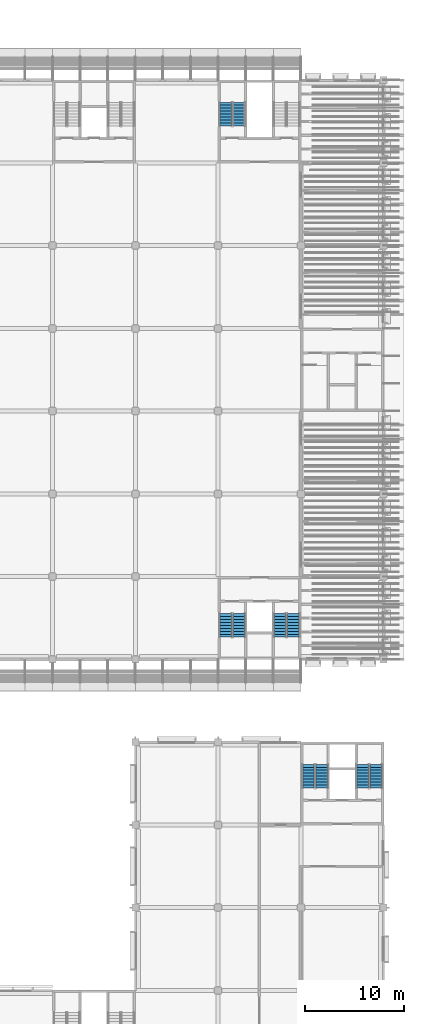
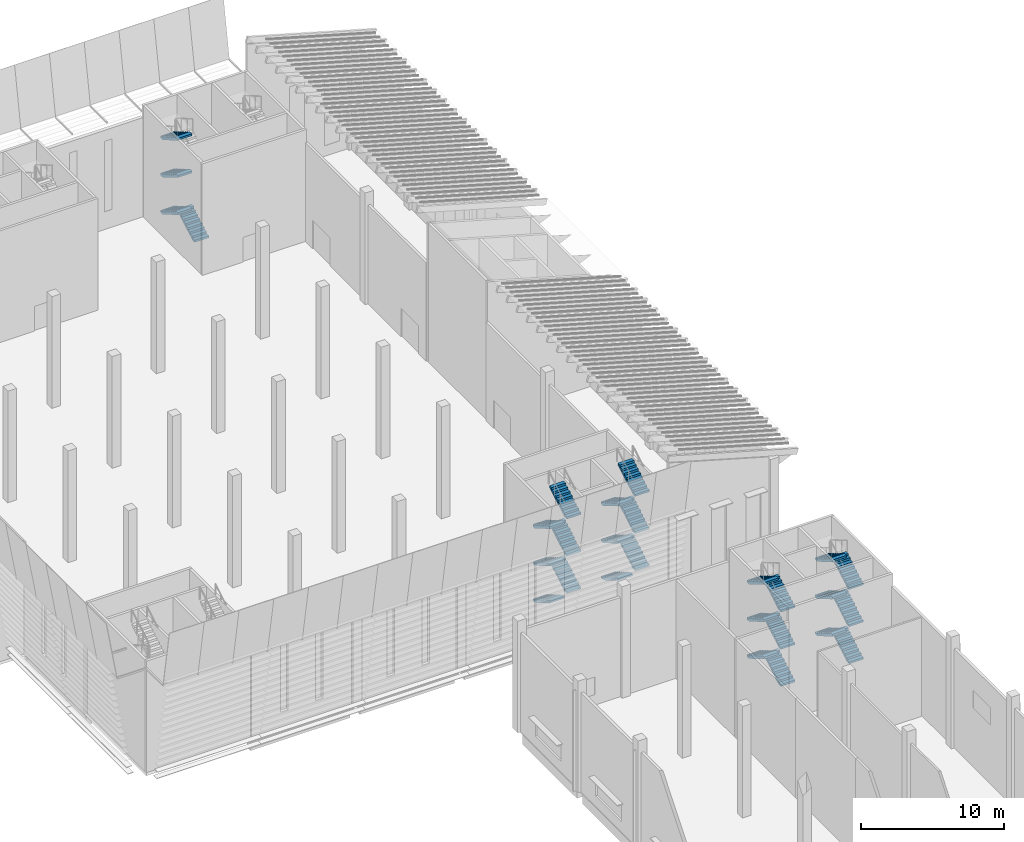
# One storey, part 58 of 114: 28 stair flights, 5 elements without a shape of their own.
"""IFC4 building model written with IfcOpenShell, lengths in metres."""

from ifc_helpers import new_model, si_unit, direction, frame, origin, place, context, subcontext, project, spatial, polyline, outline, extrude, material, type_object, element, aggregate, save


model = new_model("IFC4")

# Units and contexts
model_context = context("Model", 3, precision=1e-05, world=origin(), true_north=direction((0.0, 1.0)))
body_context = subcontext(model_context, "Body", "Model", "MODEL_VIEW")
ifc_project = project(units=[si_unit("LENGTHUNIT", "METRE"), si_unit("AREAUNIT", "SQUARE_METRE"), si_unit("VOLUMEUNIT", "CUBIC_METRE"), si_unit("PLANEANGLEUNIT", "RADIAN"), si_unit("MASSUNIT", "GRAM", prefix="KILO")], contexts=[model_context])

# Site, building, storey
site_placement = place(None, origin())
site = spatial("IfcSite", under=ifc_project, at=site_placement, CompositionType="ELEMENT")
building_placement = place(site_placement, origin())
building = spatial("IfcBuilding", under=site, at=building_placement, Name="Almond Square Museum", CompositionType="ELEMENT")
storey_placement = place(building_placement, frame((0.0, 0.0, 10.5)))
storey = spatial("IfcBuildingStorey", under=building, at=storey_placement, Name="L02", CompositionType="ELEMENT", Elevation=10.5)

# Stair, stair flights
ifc_material_1 = material(Name="Concrete C40/50", Category="concrete")
stair_type = type_object("IfcStairType", Name="Exit stair 54 risers of 176 mm", PredefinedType="HALF_TURN_STAIR", material=ifc_material_1)
stair_1_placement = place(storey_placement, origin())
stair_1 = element("IfcStair", 1, at=stair_1_placement, inside=storey, type_object=stair_type, Name="L02 stair H2-1", PredefinedType="HALF_TURN_STAIR")
ifc_material_2 = material(Name="Concrete C40/50", Category="concrete")
stair_flight_type = type_object("IfcStairFlightType", Name="Concrete flight", PredefinedType="STRAIGHT", material=ifc_material_2)
stair_flight_1_placement = place(storey_placement, frame((141.175048828125, 55.050048828125, 0.0), z_axis=(0.0, 0.0, 1.0), x_axis=(0.0, -1.0, 0.0)))
stair_flight_1 = element("IfcStairFlight", 2, at=stair_flight_1_placement, type_object=stair_flight_type, Name="ST-03 flight 1", NumberOfRisers=9, NumberOfTreads=8, PredefinedType="STRAIGHT", RiserHeight=0.175925926, TreadLength=0.3, context=body_context, shape_type="SweptSolid", body=[
    extrude(outline(polyline([(0.0, 0.0), (0.0, 0.176025390625), (0.300048828125, 0.176025390625), (0.300048828125, 0.351806640625), (0.60009765625, 0.351806640625), (0.60009765625, 0.52783203125), (0.89990234375, 0.52783203125), (0.89990234375, 0.70361328125), (1.199951171875, 0.70361328125), (1.199951171875, 0.879638671875), (1.5, 0.879638671875), (1.5, 1.0556640625), (1.800048828125, 1.0556640625), (1.800048828125, 1.2314453125), (2.10009765625, 1.2314453125), (2.10009765625, 1.407470703125), (2.39990234375, 1.407470703125), (2.39990234375, 1.583251953125), (2.39990234375, 1.233642578125), (0.29638671875, 0.0), (0.0, 0.0)])), frame((0.0, 0.574951171875, 0.0), z_axis=(0.0, -1.0, 0.0), x_axis=(1.0, 0.0, 0.0)), (0.0, 0.0, 1.0), 1.14990234375),
])
stair_flight_2_placement = place(storey_placement, frame((142.52490234375, 52.64990234375, 1.583251953125), z_axis=(0.0, 0.0, 1.0), x_axis=(0.0, 1.0, 0.0)))
stair_flight_2 = element("IfcStairFlight", 3, at=stair_flight_2_placement, type_object=stair_flight_type, Name="ST-03 flight 2", NumberOfRisers=9, NumberOfTreads=8, PredefinedType="STRAIGHT", RiserHeight=0.175925926, TreadLength=0.3, context=body_context, shape_type="SweptSolid", body=[
    extrude(outline(polyline([(0.0, 0.0), (0.0, 0.176025390625), (0.300048828125, 0.176025390625), (0.300048828125, 0.351806640625), (0.60009765625, 0.351806640625), (0.60009765625, 0.52783203125), (0.89990234375, 0.52783203125), (0.89990234375, 0.70361328125), (1.199951171875, 0.70361328125), (1.199951171875, 0.879638671875), (1.5, 0.879638671875), (1.5, 1.0556640625), (1.800048828125, 1.0556640625), (1.800048828125, 1.2314453125), (2.10009765625, 1.2314453125), (2.10009765625, 1.407470703125), (2.39990234375, 1.407470703125), (2.39990234375, 1.583251953125), (2.39990234375, 1.233642578125), (0.29638671875, 0.0), (0.0, 0.0)])), frame((0.0, 0.574951171875, 0.0), z_axis=(0.0, -1.0, 0.0), x_axis=(1.0, 0.0, 0.0)), (0.0, 0.0, 1.0), 1.14990234375),
])
stair_flight_3_placement = place(storey_placement, frame((141.175048828125, 55.050048828125, 3.166748046875), z_axis=(0.0, 0.0, 1.0), x_axis=(0.0, -1.0, 0.0)))
stair_flight_3 = element("IfcStairFlight", 4, at=stair_flight_3_placement, type_object=stair_flight_type, Name="ST-03 flight 3", NumberOfRisers=9, NumberOfTreads=8, PredefinedType="STRAIGHT", RiserHeight=0.175925926, TreadLength=0.3, context=body_context, shape_type="SweptSolid", body=[
    extrude(outline(polyline([(0.0, 0.0), (0.0, 0.176025390625), (0.300048828125, 0.176025390625), (0.300048828125, 0.351806640625), (0.60009765625, 0.351806640625), (0.60009765625, 0.52783203125), (0.89990234375, 0.52783203125), (0.89990234375, 0.70361328125), (1.199951171875, 0.70361328125), (1.199951171875, 0.879638671875), (1.5, 0.879638671875), (1.5, 1.0556640625), (1.800048828125, 1.0556640625), (1.800048828125, 1.2314453125), (2.10009765625, 1.2314453125), (2.10009765625, 1.407470703125), (2.39990234375, 1.407470703125), (2.39990234375, 1.583251953125), (2.39990234375, 1.233642578125), (0.29638671875, 0.0), (0.0, 0.0)])), frame((0.0, 0.574951171875, 0.0), z_axis=(0.0, -1.0, 0.0), x_axis=(1.0, 0.0, 0.0)), (0.0, 0.0, 1.0), 1.14990234375),
])
stair_flight_4_placement = place(storey_placement, frame((142.52490234375, 52.64990234375, 4.75), z_axis=(0.0, 0.0, 1.0), x_axis=(0.0, 1.0, 0.0)))
stair_flight_4 = element("IfcStairFlight", 5, at=stair_flight_4_placement, type_object=stair_flight_type, Name="ST-03 flight 4", NumberOfRisers=9, NumberOfTreads=8, PredefinedType="STRAIGHT", RiserHeight=0.175925926, TreadLength=0.3, context=body_context, shape_type="SweptSolid", body=[
    extrude(outline(polyline([(0.0, 0.0), (0.0, 0.176025390625), (0.300048828125, 0.176025390625), (0.300048828125, 0.351806640625), (0.60009765625, 0.351806640625), (0.60009765625, 0.52783203125), (0.89990234375, 0.52783203125), (0.89990234375, 0.70361328125), (1.199951171875, 0.70361328125), (1.199951171875, 0.879638671875), (1.5, 0.879638671875), (1.5, 1.0556640625), (1.800048828125, 1.0556640625), (1.800048828125, 1.2314453125), (2.10009765625, 1.2314453125), (2.10009765625, 1.407470703125), (2.39990234375, 1.407470703125), (2.39990234375, 1.583251953125), (2.39990234375, 1.233642578125), (0.29638671875, 0.0), (0.0, 0.0)])), frame((0.0, 0.574951171875, 0.0), z_axis=(0.0, -1.0, 0.0), x_axis=(1.0, 0.0, 0.0)), (0.0, 0.0, 1.0), 1.14990234375),
])
stair_flight_5_placement = place(storey_placement, frame((141.175048828125, 55.050048828125, 6.333251953125), z_axis=(0.0, 0.0, 1.0), x_axis=(0.0, -1.0, 0.0)))
stair_flight_5 = element("IfcStairFlight", 6, at=stair_flight_5_placement, type_object=stair_flight_type, Name="ST-03 flight 5", NumberOfRisers=9, NumberOfTreads=8, PredefinedType="STRAIGHT", RiserHeight=0.175925926, TreadLength=0.3, context=body_context, shape_type="SweptSolid", body=[
    extrude(outline(polyline([(0.0, 0.0), (0.0, 0.176025390625), (0.300048828125, 0.176025390625), (0.300048828125, 0.351806640625), (0.60009765625, 0.351806640625), (0.60009765625, 0.52783203125), (0.89990234375, 0.52783203125), (0.89990234375, 0.70361328125), (1.199951171875, 0.70361328125), (1.199951171875, 0.879638671875), (1.5, 0.879638671875), (1.5, 1.0556640625), (1.800048828125, 1.0556640625), (1.800048828125, 1.2314453125), (2.10009765625, 1.2314453125), (2.10009765625, 1.407470703125), (2.39990234375, 1.407470703125), (2.39990234375, 1.583251953125), (2.39990234375, 1.233642578125), (0.29638671875, 0.0), (0.0, 0.0)])), frame((0.0, 0.574951171875, 0.0), z_axis=(0.0, -1.0, 0.0), x_axis=(1.0, 0.0, 0.0)), (0.0, 0.0, 1.0), 1.14990234375),
])
stair_flight_6_placement = place(storey_placement, frame((142.52490234375, 52.64990234375, 7.916748046875), z_axis=(0.0, 0.0, 1.0), x_axis=(0.0, 1.0, 0.0)))
stair_flight_6 = element("IfcStairFlight", 7, at=stair_flight_6_placement, type_object=stair_flight_type, Name="ST-03 flight 6", NumberOfRisers=9, NumberOfTreads=8, PredefinedType="STRAIGHT", RiserHeight=0.175925926, TreadLength=0.3, context=body_context, shape_type="SweptSolid", body=[
    extrude(outline(polyline([(0.0, 0.0), (0.0, 0.176025390625), (0.300048828125, 0.176025390625), (0.300048828125, 0.351806640625), (0.60009765625, 0.351806640625), (0.60009765625, 0.52783203125), (0.89990234375, 0.52783203125), (0.89990234375, 0.70361328125), (1.199951171875, 0.70361328125), (1.199951171875, 0.879638671875), (1.5, 0.879638671875), (1.5, 1.0556640625), (1.800048828125, 1.0556640625), (1.800048828125, 1.2314453125), (2.10009765625, 1.2314453125), (2.10009765625, 1.407470703125), (2.39990234375, 1.407470703125), (2.39990234375, 1.583251953125), (2.39990234375, 1.233642578125), (0.29638671875, 0.0), (0.0, 0.0)])), frame((0.0, 0.574951171875, 0.0), z_axis=(0.0, -1.0, 0.0), x_axis=(1.0, 0.0, 0.0)), (0.0, 0.0, 1.0), 1.14990234375),
])
aggregate(stair_1, [stair_flight_1, stair_flight_2, stair_flight_3, stair_flight_4, stair_flight_5, stair_flight_6])

stair_2_placement = place(storey_placement, origin())
stair_2 = element("IfcStair", 8, at=stair_2_placement, inside=storey, type_object=stair_type, Name="L02 stair H2-2", PredefinedType="HALF_TURN_STAIR")
stair_flight_7_placement = place(storey_placement, frame((146.675048828125, 55.050048828125, 0.0), z_axis=(0.0, 0.0, 1.0), x_axis=(0.0, -1.0, 0.0)))
stair_flight_7 = element("IfcStairFlight", 9, at=stair_flight_7_placement, type_object=stair_flight_type, Name="ST-04 flight 1", NumberOfRisers=9, NumberOfTreads=8, PredefinedType="STRAIGHT", RiserHeight=0.175925926, TreadLength=0.3, context=body_context, shape_type="SweptSolid", body=[
    extrude(outline(polyline([(0.0, 0.0), (0.0, 0.176025390625), (0.300048828125, 0.176025390625), (0.300048828125, 0.351806640625), (0.60009765625, 0.351806640625), (0.60009765625, 0.52783203125), (0.89990234375, 0.52783203125), (0.89990234375, 0.70361328125), (1.199951171875, 0.70361328125), (1.199951171875, 0.879638671875), (1.5, 0.879638671875), (1.5, 1.0556640625), (1.800048828125, 1.0556640625), (1.800048828125, 1.2314453125), (2.10009765625, 1.2314453125), (2.10009765625, 1.407470703125), (2.39990234375, 1.407470703125), (2.39990234375, 1.583251953125), (2.39990234375, 1.233642578125), (0.29638671875, 0.0), (0.0, 0.0)])), frame((0.0, 0.574951171875, 0.0), z_axis=(0.0, -1.0, 0.0), x_axis=(1.0, 0.0, 0.0)), (0.0, 0.0, 1.0), 1.14990234375),
])
stair_flight_8_placement = place(storey_placement, frame((148.02490234375, 52.64990234375, 1.583251953125), z_axis=(0.0, 0.0, 1.0), x_axis=(0.0, 1.0, 0.0)))
stair_flight_8 = element("IfcStairFlight", 10, at=stair_flight_8_placement, type_object=stair_flight_type, Name="ST-04 flight 2", NumberOfRisers=9, NumberOfTreads=8, PredefinedType="STRAIGHT", RiserHeight=0.175925926, TreadLength=0.3, context=body_context, shape_type="SweptSolid", body=[
    extrude(outline(polyline([(0.0, 0.0), (0.0, 0.176025390625), (0.300048828125, 0.176025390625), (0.300048828125, 0.351806640625), (0.60009765625, 0.351806640625), (0.60009765625, 0.52783203125), (0.89990234375, 0.52783203125), (0.89990234375, 0.70361328125), (1.199951171875, 0.70361328125), (1.199951171875, 0.879638671875), (1.5, 0.879638671875), (1.5, 1.0556640625), (1.800048828125, 1.0556640625), (1.800048828125, 1.2314453125), (2.10009765625, 1.2314453125), (2.10009765625, 1.407470703125), (2.39990234375, 1.407470703125), (2.39990234375, 1.583251953125), (2.39990234375, 1.233642578125), (0.29638671875, 0.0), (0.0, 0.0)])), frame((0.0, 0.574951171875, 0.0), z_axis=(0.0, -1.0, 0.0), x_axis=(1.0, 0.0, 0.0)), (0.0, 0.0, 1.0), 1.14990234375),
])
stair_flight_9_placement = place(storey_placement, frame((146.675048828125, 55.050048828125, 3.166748046875), z_axis=(0.0, 0.0, 1.0), x_axis=(0.0, -1.0, 0.0)))
stair_flight_9 = element("IfcStairFlight", 11, at=stair_flight_9_placement, type_object=stair_flight_type, Name="ST-04 flight 3", NumberOfRisers=9, NumberOfTreads=8, PredefinedType="STRAIGHT", RiserHeight=0.175925926, TreadLength=0.3, context=body_context, shape_type="SweptSolid", body=[
    extrude(outline(polyline([(0.0, 0.0), (0.0, 0.176025390625), (0.300048828125, 0.176025390625), (0.300048828125, 0.351806640625), (0.60009765625, 0.351806640625), (0.60009765625, 0.52783203125), (0.89990234375, 0.52783203125), (0.89990234375, 0.70361328125), (1.199951171875, 0.70361328125), (1.199951171875, 0.879638671875), (1.5, 0.879638671875), (1.5, 1.0556640625), (1.800048828125, 1.0556640625), (1.800048828125, 1.2314453125), (2.10009765625, 1.2314453125), (2.10009765625, 1.407470703125), (2.39990234375, 1.407470703125), (2.39990234375, 1.583251953125), (2.39990234375, 1.233642578125), (0.29638671875, 0.0), (0.0, 0.0)])), frame((0.0, 0.574951171875, 0.0), z_axis=(0.0, -1.0, 0.0), x_axis=(1.0, 0.0, 0.0)), (0.0, 0.0, 1.0), 1.14990234375),
])
stair_flight_10_placement = place(storey_placement, frame((148.02490234375, 52.64990234375, 4.75), z_axis=(0.0, 0.0, 1.0), x_axis=(0.0, 1.0, 0.0)))
stair_flight_10 = element("IfcStairFlight", 12, at=stair_flight_10_placement, type_object=stair_flight_type, Name="ST-04 flight 4", NumberOfRisers=9, NumberOfTreads=8, PredefinedType="STRAIGHT", RiserHeight=0.175925926, TreadLength=0.3, context=body_context, shape_type="SweptSolid", body=[
    extrude(outline(polyline([(0.0, 0.0), (0.0, 0.176025390625), (0.300048828125, 0.176025390625), (0.300048828125, 0.351806640625), (0.60009765625, 0.351806640625), (0.60009765625, 0.52783203125), (0.89990234375, 0.52783203125), (0.89990234375, 0.70361328125), (1.199951171875, 0.70361328125), (1.199951171875, 0.879638671875), (1.5, 0.879638671875), (1.5, 1.0556640625), (1.800048828125, 1.0556640625), (1.800048828125, 1.2314453125), (2.10009765625, 1.2314453125), (2.10009765625, 1.407470703125), (2.39990234375, 1.407470703125), (2.39990234375, 1.583251953125), (2.39990234375, 1.233642578125), (0.29638671875, 0.0), (0.0, 0.0)])), frame((0.0, 0.574951171875, 0.0), z_axis=(0.0, -1.0, 0.0), x_axis=(1.0, 0.0, 0.0)), (0.0, 0.0, 1.0), 1.14990234375),
])
stair_flight_11_placement = place(storey_placement, frame((146.675048828125, 55.050048828125, 6.333251953125), z_axis=(0.0, 0.0, 1.0), x_axis=(0.0, -1.0, 0.0)))
stair_flight_11 = element("IfcStairFlight", 13, at=stair_flight_11_placement, type_object=stair_flight_type, Name="ST-04 flight 5", NumberOfRisers=9, NumberOfTreads=8, PredefinedType="STRAIGHT", RiserHeight=0.175925926, TreadLength=0.3, context=body_context, shape_type="SweptSolid", body=[
    extrude(outline(polyline([(0.0, 0.0), (0.0, 0.176025390625), (0.300048828125, 0.176025390625), (0.300048828125, 0.351806640625), (0.60009765625, 0.351806640625), (0.60009765625, 0.52783203125), (0.89990234375, 0.52783203125), (0.89990234375, 0.70361328125), (1.199951171875, 0.70361328125), (1.199951171875, 0.879638671875), (1.5, 0.879638671875), (1.5, 1.0556640625), (1.800048828125, 1.0556640625), (1.800048828125, 1.2314453125), (2.10009765625, 1.2314453125), (2.10009765625, 1.407470703125), (2.39990234375, 1.407470703125), (2.39990234375, 1.583251953125), (2.39990234375, 1.233642578125), (0.29638671875, 0.0), (0.0, 0.0)])), frame((0.0, 0.574951171875, 0.0), z_axis=(0.0, -1.0, 0.0), x_axis=(1.0, 0.0, 0.0)), (0.0, 0.0, 1.0), 1.14990234375),
])
stair_flight_12_placement = place(storey_placement, frame((148.02490234375, 52.64990234375, 7.916748046875), z_axis=(0.0, 0.0, 1.0), x_axis=(0.0, 1.0, 0.0)))
stair_flight_12 = element("IfcStairFlight", 14, at=stair_flight_12_placement, type_object=stair_flight_type, Name="ST-04 flight 6", NumberOfRisers=9, NumberOfTreads=8, PredefinedType="STRAIGHT", RiserHeight=0.175925926, TreadLength=0.3, context=body_context, shape_type="SweptSolid", body=[
    extrude(outline(polyline([(0.0, 0.0), (0.0, 0.176025390625), (0.300048828125, 0.176025390625), (0.300048828125, 0.351806640625), (0.60009765625, 0.351806640625), (0.60009765625, 0.52783203125), (0.89990234375, 0.52783203125), (0.89990234375, 0.70361328125), (1.199951171875, 0.70361328125), (1.199951171875, 0.879638671875), (1.5, 0.879638671875), (1.5, 1.0556640625), (1.800048828125, 1.0556640625), (1.800048828125, 1.2314453125), (2.10009765625, 1.2314453125), (2.10009765625, 1.407470703125), (2.39990234375, 1.407470703125), (2.39990234375, 1.583251953125), (2.39990234375, 1.233642578125), (0.29638671875, 0.0), (0.0, 0.0)])), frame((0.0, 0.574951171875, 0.0), z_axis=(0.0, -1.0, 0.0), x_axis=(1.0, 0.0, 0.0)), (0.0, 0.0, 1.0), 1.14990234375),
])
aggregate(stair_2, [stair_flight_7, stair_flight_8, stair_flight_9, stair_flight_10, stair_flight_11, stair_flight_12])

stair_3_placement = place(storey_placement, origin())
stair_3 = element("IfcStair", 15, at=stair_3_placement, inside=storey, type_object=stair_type, Name="L02 stair H3-1", PredefinedType="HALF_TURN_STAIR")
stair_flight_13_placement = place(storey_placement, frame((142.52490234375, 104.550048828125, 0.0), z_axis=(0.0, 0.0, 1.0), x_axis=(0.0, 1.0, 0.0)))
stair_flight_13 = element("IfcStairFlight", 16, at=stair_flight_13_placement, type_object=stair_flight_type, Name="ST-05 flight 1", NumberOfRisers=9, NumberOfTreads=8, PredefinedType="STRAIGHT", RiserHeight=0.175925926, TreadLength=0.3, context=body_context, shape_type="SweptSolid", body=[
    extrude(outline(polyline([(0.0, 0.0), (0.0, 0.176025390625), (0.300048828125, 0.176025390625), (0.300048828125, 0.351806640625), (0.60009765625, 0.351806640625), (0.60009765625, 0.52783203125), (0.89990234375, 0.52783203125), (0.89990234375, 0.70361328125), (1.199951171875, 0.70361328125), (1.199951171875, 0.879638671875), (1.5, 0.879638671875), (1.5, 1.0556640625), (1.800048828125, 1.0556640625), (1.800048828125, 1.2314453125), (2.10009765625, 1.2314453125), (2.10009765625, 1.407470703125), (2.39990234375, 1.407470703125), (2.39990234375, 1.583251953125), (2.39990234375, 1.233642578125), (0.29638671875, 0.0), (0.0, 0.0)])), frame((0.0, 0.574951171875, 0.0), z_axis=(0.0, -1.0, 0.0), x_axis=(1.0, 0.0, 0.0)), (0.0, 0.0, 1.0), 1.14990234375),
])
stair_flight_14_placement = place(storey_placement, frame((141.175048828125, 106.949951171875, 1.583251953125), z_axis=(0.0, 0.0, 1.0), x_axis=(0.0, -1.0, 0.0)))
stair_flight_14 = element("IfcStairFlight", 17, at=stair_flight_14_placement, type_object=stair_flight_type, Name="ST-05 flight 2", NumberOfRisers=9, NumberOfTreads=8, PredefinedType="STRAIGHT", RiserHeight=0.175925926, TreadLength=0.3, context=body_context, shape_type="SweptSolid", body=[
    extrude(outline(polyline([(0.0, 0.0), (0.0, 0.176025390625), (0.300048828125, 0.176025390625), (0.300048828125, 0.351806640625), (0.60009765625, 0.351806640625), (0.60009765625, 0.52783203125), (0.89990234375, 0.52783203125), (0.89990234375, 0.70361328125), (1.199951171875, 0.70361328125), (1.199951171875, 0.879638671875), (1.5, 0.879638671875), (1.5, 1.0556640625), (1.800048828125, 1.0556640625), (1.800048828125, 1.2314453125), (2.10009765625, 1.2314453125), (2.10009765625, 1.407470703125), (2.39990234375, 1.407470703125), (2.39990234375, 1.583251953125), (2.39990234375, 1.233642578125), (0.29638671875, 0.0), (0.0, 0.0)])), frame((0.0, 0.574951171875, 0.0), z_axis=(0.0, -1.0, 0.0), x_axis=(1.0, 0.0, 0.0)), (0.0, 0.0, 1.0), 1.14990234375),
])
stair_flight_15_placement = place(storey_placement, frame((141.175048828125, 106.949951171875, 4.75), z_axis=(0.0, 0.0, 1.0), x_axis=(0.0, -1.0, 0.0)))
stair_flight_15 = element("IfcStairFlight", 18, at=stair_flight_15_placement, type_object=stair_flight_type, Name="ST-05 flight 4", NumberOfRisers=9, NumberOfTreads=8, PredefinedType="STRAIGHT", RiserHeight=0.175925926, TreadLength=0.3, context=body_context, shape_type="SweptSolid", body=[
    extrude(outline(polyline([(0.0, 0.0), (0.0, 0.176025390625), (0.300048828125, 0.176025390625), (0.300048828125, 0.351806640625), (0.60009765625, 0.351806640625), (0.60009765625, 0.52783203125), (0.89990234375, 0.52783203125), (0.89990234375, 0.70361328125), (1.199951171875, 0.70361328125), (1.199951171875, 0.879638671875), (1.5, 0.879638671875), (1.5, 1.0556640625), (1.800048828125, 1.0556640625), (1.800048828125, 1.2314453125), (2.10009765625, 1.2314453125), (2.10009765625, 1.407470703125), (2.39990234375, 1.407470703125), (2.39990234375, 1.583251953125), (2.39990234375, 1.233642578125), (0.29638671875, 0.0), (0.0, 0.0)])), frame((0.0, 0.574951171875, 0.0), z_axis=(0.0, -1.0, 0.0), x_axis=(1.0, 0.0, 0.0)), (0.0, 0.0, 1.0), 1.14990234375),
])
stair_flight_16_placement = place(storey_placement, frame((141.175048828125, 106.949951171875, 7.916748046875), z_axis=(0.0, 0.0, 1.0), x_axis=(0.0, -1.0, 0.0)))
stair_flight_16 = element("IfcStairFlight", 19, at=stair_flight_16_placement, type_object=stair_flight_type, Name="ST-05 flight 6", NumberOfRisers=9, NumberOfTreads=8, PredefinedType="STRAIGHT", RiserHeight=0.175925926, TreadLength=0.3, context=body_context, shape_type="SweptSolid", body=[
    extrude(outline(polyline([(0.0, 0.0), (0.0, 0.176025390625), (0.300048828125, 0.176025390625), (0.300048828125, 0.351806640625), (0.60009765625, 0.351806640625), (0.60009765625, 0.52783203125), (0.89990234375, 0.52783203125), (0.89990234375, 0.70361328125), (1.199951171875, 0.70361328125), (1.199951171875, 0.879638671875), (1.5, 0.879638671875), (1.5, 1.0556640625), (1.800048828125, 1.0556640625), (1.800048828125, 1.2314453125), (2.10009765625, 1.2314453125), (2.10009765625, 1.407470703125), (2.39990234375, 1.407470703125), (2.39990234375, 1.583251953125), (2.39990234375, 1.233642578125), (0.29638671875, 0.0), (0.0, 0.0)])), frame((0.0, 0.574951171875, 0.0), z_axis=(0.0, -1.0, 0.0), x_axis=(1.0, 0.0, 0.0)), (0.0, 0.0, 1.0), 1.14990234375),
])
aggregate(stair_3, [stair_flight_13, stair_flight_14, stair_flight_15, stair_flight_16])

stair_4_placement = place(storey_placement, origin())
stair_4 = element("IfcStair", 20, at=stair_4_placement, inside=storey, type_object=stair_type, Name="L02 stair X1-1", PredefinedType="HALF_TURN_STAIR")
stair_flight_17_placement = place(storey_placement, frame((150.925048828125, 37.35009765625, 0.0), z_axis=(0.0, 0.0, 1.0), x_axis=(0.0, 1.0, 0.0)))
stair_flight_17 = element("IfcStairFlight", 21, at=stair_flight_17_placement, type_object=stair_flight_type, Name="ST-33 flight 1", NumberOfRisers=9, NumberOfTreads=8, PredefinedType="STRAIGHT", RiserHeight=0.175925926, TreadLength=0.3, context=body_context, shape_type="SweptSolid", body=[
    extrude(outline(polyline([(0.0, 0.0), (0.0, 0.176025390625), (0.300048828125, 0.176025390625), (0.300048828125, 0.351806640625), (0.60009765625, 0.351806640625), (0.60009765625, 0.52783203125), (0.89990234375, 0.52783203125), (0.89990234375, 0.70361328125), (1.199951171875, 0.70361328125), (1.199951171875, 0.879638671875), (1.5, 0.879638671875), (1.5, 1.0556640625), (1.800048828125, 1.0556640625), (1.800048828125, 1.2314453125), (2.10009765625, 1.2314453125), (2.10009765625, 1.407470703125), (2.39990234375, 1.407470703125), (2.39990234375, 1.583251953125), (2.39990234375, 1.233642578125), (0.29638671875, 0.0), (0.0, 0.0)])), frame((0.0, 0.574951171875, 0.0), z_axis=(0.0, -1.0, 0.0), x_axis=(1.0, 0.0, 0.0)), (0.0, 0.0, 1.0), 1.14990234375),
])
stair_flight_18_placement = place(storey_placement, frame((149.574951171875, 39.75, 1.583251953125), z_axis=(0.0, 0.0, 1.0), x_axis=(0.0, -1.0, 0.0)))
stair_flight_18 = element("IfcStairFlight", 22, at=stair_flight_18_placement, type_object=stair_flight_type, Name="ST-33 flight 2", NumberOfRisers=9, NumberOfTreads=8, PredefinedType="STRAIGHT", RiserHeight=0.175925926, TreadLength=0.3, context=body_context, shape_type="SweptSolid", body=[
    extrude(outline(polyline([(0.0, 0.0), (0.0, 0.176025390625), (0.300048828125, 0.176025390625), (0.300048828125, 0.351806640625), (0.60009765625, 0.351806640625), (0.60009765625, 0.52783203125), (0.89990234375, 0.52783203125), (0.89990234375, 0.70361328125), (1.199951171875, 0.70361328125), (1.199951171875, 0.879638671875), (1.5, 0.879638671875), (1.5, 1.0556640625), (1.800048828125, 1.0556640625), (1.800048828125, 1.2314453125), (2.10009765625, 1.2314453125), (2.10009765625, 1.407470703125), (2.39990234375, 1.407470703125), (2.39990234375, 1.583251953125), (2.39990234375, 1.233642578125), (0.29638671875, 0.0), (0.0, 0.0)])), frame((0.0, 0.574951171875, 0.0), z_axis=(0.0, -1.0, 0.0), x_axis=(1.0, 0.0, 0.0)), (0.0, 0.0, 1.0), 1.14990234375),
])
stair_flight_19_placement = place(storey_placement, frame((150.925048828125, 37.35009765625, 3.166748046875), z_axis=(0.0, 0.0, 1.0), x_axis=(0.0, 1.0, 0.0)))
stair_flight_19 = element("IfcStairFlight", 23, at=stair_flight_19_placement, type_object=stair_flight_type, Name="ST-33 flight 3", NumberOfRisers=9, NumberOfTreads=8, PredefinedType="STRAIGHT", RiserHeight=0.175925926, TreadLength=0.3, context=body_context, shape_type="SweptSolid", body=[
    extrude(outline(polyline([(0.0, 0.0), (0.0, 0.176025390625), (0.300048828125, 0.176025390625), (0.300048828125, 0.351806640625), (0.60009765625, 0.351806640625), (0.60009765625, 0.52783203125), (0.89990234375, 0.52783203125), (0.89990234375, 0.70361328125), (1.199951171875, 0.70361328125), (1.199951171875, 0.879638671875), (1.5, 0.879638671875), (1.5, 1.0556640625), (1.800048828125, 1.0556640625), (1.800048828125, 1.2314453125), (2.10009765625, 1.2314453125), (2.10009765625, 1.407470703125), (2.39990234375, 1.407470703125), (2.39990234375, 1.583251953125), (2.39990234375, 1.233642578125), (0.29638671875, 0.0), (0.0, 0.0)])), frame((0.0, 0.574951171875, 0.0), z_axis=(0.0, -1.0, 0.0), x_axis=(1.0, 0.0, 0.0)), (0.0, 0.0, 1.0), 1.14990234375),
])
stair_flight_20_placement = place(storey_placement, frame((149.574951171875, 39.75, 4.75), z_axis=(0.0, 0.0, 1.0), x_axis=(0.0, -1.0, 0.0)))
stair_flight_20 = element("IfcStairFlight", 24, at=stair_flight_20_placement, type_object=stair_flight_type, Name="ST-33 flight 4", NumberOfRisers=9, NumberOfTreads=8, PredefinedType="STRAIGHT", RiserHeight=0.175925926, TreadLength=0.3, context=body_context, shape_type="SweptSolid", body=[
    extrude(outline(polyline([(0.0, 0.0), (0.0, 0.176025390625), (0.300048828125, 0.176025390625), (0.300048828125, 0.351806640625), (0.60009765625, 0.351806640625), (0.60009765625, 0.52783203125), (0.89990234375, 0.52783203125), (0.89990234375, 0.70361328125), (1.199951171875, 0.70361328125), (1.199951171875, 0.879638671875), (1.5, 0.879638671875), (1.5, 1.0556640625), (1.800048828125, 1.0556640625), (1.800048828125, 1.2314453125), (2.10009765625, 1.2314453125), (2.10009765625, 1.407470703125), (2.39990234375, 1.407470703125), (2.39990234375, 1.583251953125), (2.39990234375, 1.233642578125), (0.29638671875, 0.0), (0.0, 0.0)])), frame((0.0, 0.574951171875, 0.0), z_axis=(0.0, -1.0, 0.0), x_axis=(1.0, 0.0, 0.0)), (0.0, 0.0, 1.0), 1.14990234375),
])
stair_flight_21_placement = place(storey_placement, frame((150.925048828125, 37.35009765625, 6.333251953125), z_axis=(0.0, 0.0, 1.0), x_axis=(0.0, 1.0, 0.0)))
stair_flight_21 = element("IfcStairFlight", 25, at=stair_flight_21_placement, type_object=stair_flight_type, Name="ST-33 flight 5", NumberOfRisers=9, NumberOfTreads=8, PredefinedType="STRAIGHT", RiserHeight=0.175925926, TreadLength=0.3, context=body_context, shape_type="SweptSolid", body=[
    extrude(outline(polyline([(0.0, 0.0), (0.0, 0.176025390625), (0.300048828125, 0.176025390625), (0.300048828125, 0.351806640625), (0.60009765625, 0.351806640625), (0.60009765625, 0.52783203125), (0.89990234375, 0.52783203125), (0.89990234375, 0.70361328125), (1.199951171875, 0.70361328125), (1.199951171875, 0.879638671875), (1.5, 0.879638671875), (1.5, 1.0556640625), (1.800048828125, 1.0556640625), (1.800048828125, 1.2314453125), (2.10009765625, 1.2314453125), (2.10009765625, 1.407470703125), (2.39990234375, 1.407470703125), (2.39990234375, 1.583251953125), (2.39990234375, 1.233642578125), (0.29638671875, 0.0), (0.0, 0.0)])), frame((0.0, 0.574951171875, 0.0), z_axis=(0.0, -1.0, 0.0), x_axis=(1.0, 0.0, 0.0)), (0.0, 0.0, 1.0), 1.14990234375),
])
stair_flight_22_placement = place(storey_placement, frame((149.574951171875, 39.75, 7.916748046875), z_axis=(0.0, 0.0, 1.0), x_axis=(0.0, -1.0, 0.0)))
stair_flight_22 = element("IfcStairFlight", 26, at=stair_flight_22_placement, type_object=stair_flight_type, Name="ST-33 flight 6", NumberOfRisers=9, NumberOfTreads=8, PredefinedType="STRAIGHT", RiserHeight=0.175925926, TreadLength=0.3, context=body_context, shape_type="SweptSolid", body=[
    extrude(outline(polyline([(0.0, 0.0), (0.0, 0.176025390625), (0.300048828125, 0.176025390625), (0.300048828125, 0.351806640625), (0.60009765625, 0.351806640625), (0.60009765625, 0.52783203125), (0.89990234375, 0.52783203125), (0.89990234375, 0.70361328125), (1.199951171875, 0.70361328125), (1.199951171875, 0.879638671875), (1.5, 0.879638671875), (1.5, 1.0556640625), (1.800048828125, 1.0556640625), (1.800048828125, 1.2314453125), (2.10009765625, 1.2314453125), (2.10009765625, 1.407470703125), (2.39990234375, 1.407470703125), (2.39990234375, 1.583251953125), (2.39990234375, 1.233642578125), (0.29638671875, 0.0), (0.0, 0.0)])), frame((0.0, 0.574951171875, 0.0), z_axis=(0.0, -1.0, 0.0), x_axis=(1.0, 0.0, 0.0)), (0.0, 0.0, 1.0), 1.14990234375),
])
aggregate(stair_4, [stair_flight_17, stair_flight_18, stair_flight_19, stair_flight_20, stair_flight_21, stair_flight_22])

stair_5_placement = place(storey_placement, origin())
stair_5 = element("IfcStair", 27, at=stair_5_placement, inside=storey, type_object=stair_type, Name="L02 stair X1-2", PredefinedType="HALF_TURN_STAIR")
stair_flight_23_placement = place(storey_placement, frame((156.425048828125, 37.35009765625, 0.0), z_axis=(0.0, 0.0, 1.0), x_axis=(0.0, 1.0, 0.0)))
stair_flight_23 = element("IfcStairFlight", 28, at=stair_flight_23_placement, type_object=stair_flight_type, Name="ST-34 flight 1", NumberOfRisers=9, NumberOfTreads=8, PredefinedType="STRAIGHT", RiserHeight=0.175925926, TreadLength=0.3, context=body_context, shape_type="SweptSolid", body=[
    extrude(outline(polyline([(0.0, 0.0), (0.0, 0.176025390625), (0.300048828125, 0.176025390625), (0.300048828125, 0.351806640625), (0.60009765625, 0.351806640625), (0.60009765625, 0.52783203125), (0.89990234375, 0.52783203125), (0.89990234375, 0.70361328125), (1.199951171875, 0.70361328125), (1.199951171875, 0.879638671875), (1.5, 0.879638671875), (1.5, 1.0556640625), (1.800048828125, 1.0556640625), (1.800048828125, 1.2314453125), (2.10009765625, 1.2314453125), (2.10009765625, 1.407470703125), (2.39990234375, 1.407470703125), (2.39990234375, 1.583251953125), (2.39990234375, 1.233642578125), (0.29638671875, 0.0), (0.0, 0.0)])), frame((0.0, 0.574951171875, 0.0), z_axis=(0.0, -1.0, 0.0), x_axis=(1.0, 0.0, 0.0)), (0.0, 0.0, 1.0), 1.14990234375),
])
stair_flight_24_placement = place(storey_placement, frame((155.074951171875, 39.75, 1.583251953125), z_axis=(0.0, 0.0, 1.0), x_axis=(0.0, -1.0, 0.0)))
stair_flight_24 = element("IfcStairFlight", 29, at=stair_flight_24_placement, type_object=stair_flight_type, Name="ST-34 flight 2", NumberOfRisers=9, NumberOfTreads=8, PredefinedType="STRAIGHT", RiserHeight=0.175925926, TreadLength=0.3, context=body_context, shape_type="SweptSolid", body=[
    extrude(outline(polyline([(0.0, 0.0), (0.0, 0.176025390625), (0.300048828125, 0.176025390625), (0.300048828125, 0.351806640625), (0.60009765625, 0.351806640625), (0.60009765625, 0.52783203125), (0.89990234375, 0.52783203125), (0.89990234375, 0.70361328125), (1.199951171875, 0.70361328125), (1.199951171875, 0.879638671875), (1.5, 0.879638671875), (1.5, 1.0556640625), (1.800048828125, 1.0556640625), (1.800048828125, 1.2314453125), (2.10009765625, 1.2314453125), (2.10009765625, 1.407470703125), (2.39990234375, 1.407470703125), (2.39990234375, 1.583251953125), (2.39990234375, 1.233642578125), (0.29638671875, 0.0), (0.0, 0.0)])), frame((0.0, 0.574951171875, 0.0), z_axis=(0.0, -1.0, 0.0), x_axis=(1.0, 0.0, 0.0)), (0.0, 0.0, 1.0), 1.14990234375),
])
stair_flight_25_placement = place(storey_placement, frame((156.425048828125, 37.35009765625, 3.166748046875), z_axis=(0.0, 0.0, 1.0), x_axis=(0.0, 1.0, 0.0)))
stair_flight_25 = element("IfcStairFlight", 30, at=stair_flight_25_placement, type_object=stair_flight_type, Name="ST-34 flight 3", NumberOfRisers=9, NumberOfTreads=8, PredefinedType="STRAIGHT", RiserHeight=0.175925926, TreadLength=0.3, context=body_context, shape_type="SweptSolid", body=[
    extrude(outline(polyline([(0.0, 0.0), (0.0, 0.176025390625), (0.300048828125, 0.176025390625), (0.300048828125, 0.351806640625), (0.60009765625, 0.351806640625), (0.60009765625, 0.52783203125), (0.89990234375, 0.52783203125), (0.89990234375, 0.70361328125), (1.199951171875, 0.70361328125), (1.199951171875, 0.879638671875), (1.5, 0.879638671875), (1.5, 1.0556640625), (1.800048828125, 1.0556640625), (1.800048828125, 1.2314453125), (2.10009765625, 1.2314453125), (2.10009765625, 1.407470703125), (2.39990234375, 1.407470703125), (2.39990234375, 1.583251953125), (2.39990234375, 1.233642578125), (0.29638671875, 0.0), (0.0, 0.0)])), frame((0.0, 0.574951171875, 0.0), z_axis=(0.0, -1.0, 0.0), x_axis=(1.0, 0.0, 0.0)), (0.0, 0.0, 1.0), 1.14990234375),
])
stair_flight_26_placement = place(storey_placement, frame((155.074951171875, 39.75, 4.75), z_axis=(0.0, 0.0, 1.0), x_axis=(0.0, -1.0, 0.0)))
stair_flight_26 = element("IfcStairFlight", 31, at=stair_flight_26_placement, type_object=stair_flight_type, Name="ST-34 flight 4", NumberOfRisers=9, NumberOfTreads=8, PredefinedType="STRAIGHT", RiserHeight=0.175925926, TreadLength=0.3, context=body_context, shape_type="SweptSolid", body=[
    extrude(outline(polyline([(0.0, 0.0), (0.0, 0.176025390625), (0.300048828125, 0.176025390625), (0.300048828125, 0.351806640625), (0.60009765625, 0.351806640625), (0.60009765625, 0.52783203125), (0.89990234375, 0.52783203125), (0.89990234375, 0.70361328125), (1.199951171875, 0.70361328125), (1.199951171875, 0.879638671875), (1.5, 0.879638671875), (1.5, 1.0556640625), (1.800048828125, 1.0556640625), (1.800048828125, 1.2314453125), (2.10009765625, 1.2314453125), (2.10009765625, 1.407470703125), (2.39990234375, 1.407470703125), (2.39990234375, 1.583251953125), (2.39990234375, 1.233642578125), (0.29638671875, 0.0), (0.0, 0.0)])), frame((0.0, 0.574951171875, 0.0), z_axis=(0.0, -1.0, 0.0), x_axis=(1.0, 0.0, 0.0)), (0.0, 0.0, 1.0), 1.14990234375),
])
stair_flight_27_placement = place(storey_placement, frame((156.425048828125, 37.35009765625, 6.333251953125), z_axis=(0.0, 0.0, 1.0), x_axis=(0.0, 1.0, 0.0)))
stair_flight_27 = element("IfcStairFlight", 32, at=stair_flight_27_placement, type_object=stair_flight_type, Name="ST-34 flight 5", NumberOfRisers=9, NumberOfTreads=8, PredefinedType="STRAIGHT", RiserHeight=0.175925926, TreadLength=0.3, context=body_context, shape_type="SweptSolid", body=[
    extrude(outline(polyline([(0.0, 0.0), (0.0, 0.176025390625), (0.300048828125, 0.176025390625), (0.300048828125, 0.351806640625), (0.60009765625, 0.351806640625), (0.60009765625, 0.52783203125), (0.89990234375, 0.52783203125), (0.89990234375, 0.70361328125), (1.199951171875, 0.70361328125), (1.199951171875, 0.879638671875), (1.5, 0.879638671875), (1.5, 1.0556640625), (1.800048828125, 1.0556640625), (1.800048828125, 1.2314453125), (2.10009765625, 1.2314453125), (2.10009765625, 1.407470703125), (2.39990234375, 1.407470703125), (2.39990234375, 1.583251953125), (2.39990234375, 1.233642578125), (0.29638671875, 0.0), (0.0, 0.0)])), frame((0.0, 0.574951171875, 0.0), z_axis=(0.0, -1.0, 0.0), x_axis=(1.0, 0.0, 0.0)), (0.0, 0.0, 1.0), 1.14990234375),
])
stair_flight_28_placement = place(storey_placement, frame((155.074951171875, 39.75, 7.916748046875), z_axis=(0.0, 0.0, 1.0), x_axis=(0.0, -1.0, 0.0)))
stair_flight_28 = element("IfcStairFlight", 33, at=stair_flight_28_placement, type_object=stair_flight_type, Name="ST-34 flight 6", NumberOfRisers=9, NumberOfTreads=8, PredefinedType="STRAIGHT", RiserHeight=0.175925926, TreadLength=0.3, context=body_context, shape_type="SweptSolid", body=[
    extrude(outline(polyline([(0.0, 0.0), (0.0, 0.176025390625), (0.300048828125, 0.176025390625), (0.300048828125, 0.351806640625), (0.60009765625, 0.351806640625), (0.60009765625, 0.52783203125), (0.89990234375, 0.52783203125), (0.89990234375, 0.70361328125), (1.199951171875, 0.70361328125), (1.199951171875, 0.879638671875), (1.5, 0.879638671875), (1.5, 1.0556640625), (1.800048828125, 1.0556640625), (1.800048828125, 1.2314453125), (2.10009765625, 1.2314453125), (2.10009765625, 1.407470703125), (2.39990234375, 1.407470703125), (2.39990234375, 1.583251953125), (2.39990234375, 1.233642578125), (0.29638671875, 0.0), (0.0, 0.0)])), frame((0.0, 0.574951171875, 0.0), z_axis=(0.0, -1.0, 0.0), x_axis=(1.0, 0.0, 0.0)), (0.0, 0.0, 1.0), 1.14990234375),
])
aggregate(stair_5, [stair_flight_23, stair_flight_24, stair_flight_25, stair_flight_26, stair_flight_27, stair_flight_28])

save(model, "model.ifc")
